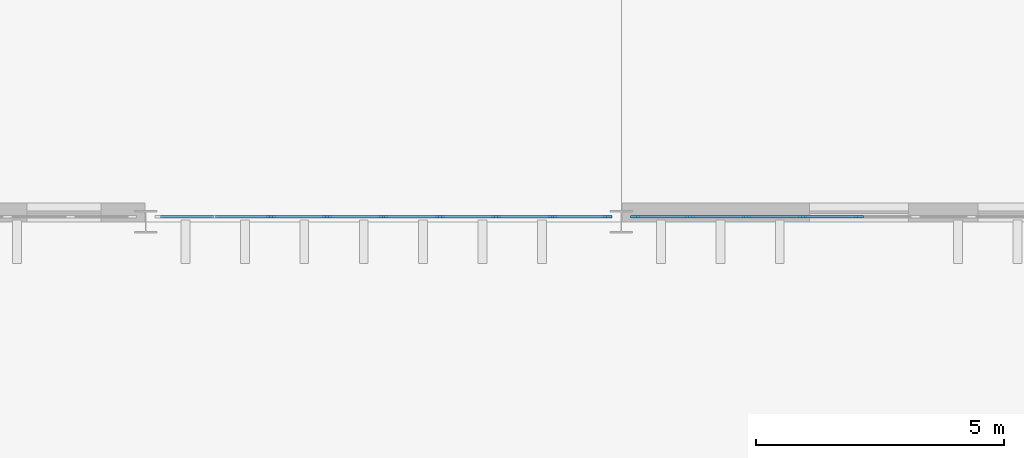
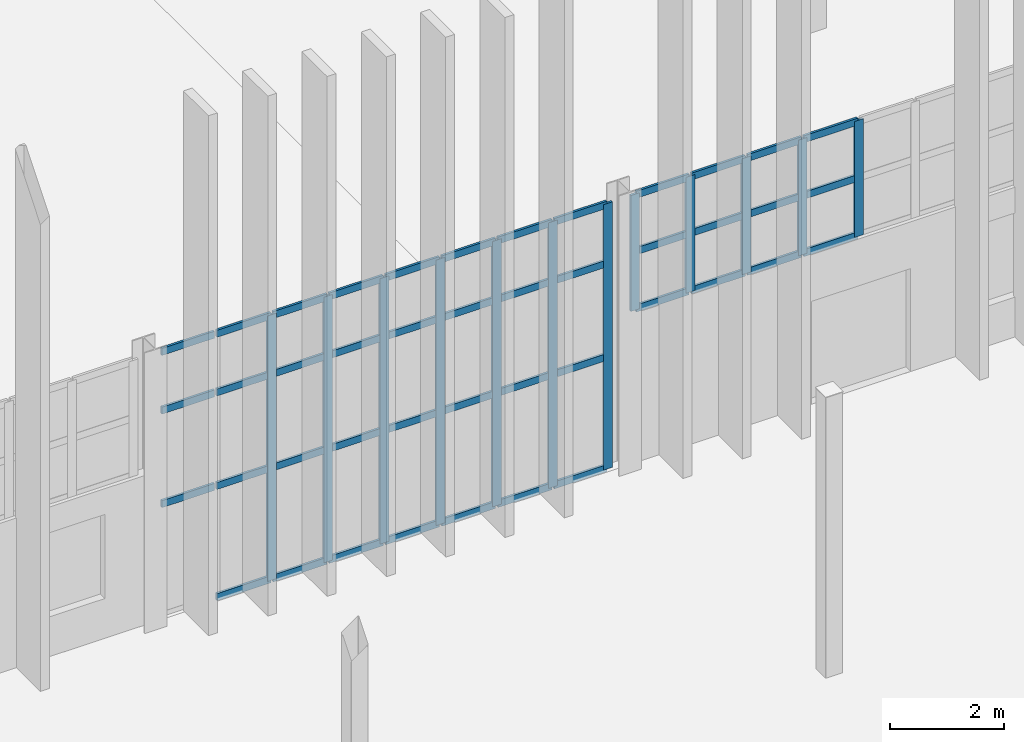
# One storey, part 31 of 139: 55 members, 2 elements without a shape of their own.
"""IFC4 building model written with IfcOpenShell, lengths in metres."""

from ifc_helpers import new_model, si_unit, direction, frame, origin, origin_2d, place, context, subcontext, project, spatial, rectangle, extrude, material, layer, layer_set, material_profile, profile_set, type_object, element, aggregate, save


model = new_model("IFC4")

# Units and contexts
model_context = context("Model", 3, precision=1e-05, world=origin(), true_north=direction((0.0, 1.0)))
body_context = subcontext(model_context, "Body", "Model", "MODEL_VIEW")
ifc_project = project(units=[si_unit("LENGTHUNIT", "METRE"), si_unit("AREAUNIT", "SQUARE_METRE"), si_unit("VOLUMEUNIT", "CUBIC_METRE"), si_unit("PLANEANGLEUNIT", "RADIAN"), si_unit("MASSUNIT", "GRAM", prefix="KILO")], contexts=[model_context])

# Site, building, storey
site_placement = place(None, origin())
site = spatial("IfcSite", under=ifc_project, at=site_placement, CompositionType="ELEMENT")
building_placement = place(site_placement, origin())
building = spatial("IfcBuilding", under=site, at=building_placement, Name="Yeouljin Market Hall", CompositionType="ELEMENT")
storey_placement = place(building_placement, origin())
storey = spatial("IfcBuildingStorey", under=building, at=storey_placement, Name="L00", CompositionType="ELEMENT", Elevation=0.0)

# Curtain wall, members
ifc_material_1 = material(Name="Thermally Broken Aluminium", Category="aluminium")
ifc_layer = layer(ifc_material_1, 0.179931640625)
ifc_layer_set = layer_set([ifc_layer], Name="Thermally Broken Aluminium")
curtain_wall_type = type_object("IfcCurtainWallType", Name="CW_HallNave_System", PredefinedType="USERDEFINED", material=ifc_layer_set)
curtain_wall_1_placement = place(storey_placement, origin())
curtain_wall_1 = element("IfcCurtainWall", 1, at=curtain_wall_1_placement, inside=storey, type_object=curtain_wall_type, Name="Curtain wall CW-V1S-L00-02", ObjectType="CURTAIN WALL", PredefinedType="USERDEFINED")
ifc_material_2 = material(Name="Thermally Broken Aluminium", Category="aluminium")
ifc_material_profile_1 = material_profile(ifc_material_2, rectangle(XDim=0.048095703125, YDim=0.179931640625, at=origin_2d()), Name="CW-MULL-48x180")
ifc_profile_set_1 = profile_set([ifc_material_profile_1], Name="Thermally Broken Aluminium")
member_type_1 = type_object("IfcMemberType", Name="CWMullion_48x180", PredefinedType="MULLION", material=ifc_profile_set_1)
member_1_placement = place(storey_placement, frame((54.325927734375, 36.10009765625, 0.0), z_axis=(0.0, 0.0, 1.0), x_axis=(0.0, -1.0, 0.0)))
member_1 = element("IfcMember", 2, at=member_1_placement, type_object=member_type_1, Name="CW-01 mullion 1", PredefinedType="MULLION", context=body_context, shape_type="SweptSolid", body=[
    extrude(rectangle(XDim=0.048095703125, YDim=0.179931640625, at=origin_2d()), origin(), (0.0, 0.0, 1.0), 5.679931640625),
])
member_2_placement = place(storey_placement, frame((53.21240234375, 36.10009765625, 0.0), z_axis=(0.0, 0.0, 1.0), x_axis=(0.0, -1.0, 0.0)))
member_2 = element("IfcMember", 3, at=member_2_placement, type_object=member_type_1, Name="CW-01 mullion 2", PredefinedType="MULLION", context=body_context, shape_type="SweptSolid", body=[
    extrude(rectangle(XDim=0.048095703125, YDim=0.179931640625, at=origin_2d()), origin(), (0.0, 0.0, 1.0), 5.679931640625),
])
member_3_placement = place(storey_placement, frame((52.074951171875, 36.10009765625, 0.0), z_axis=(0.0, 0.0, 1.0), x_axis=(0.0, -1.0, 0.0)))
member_3 = element("IfcMember", 4, at=member_3_placement, type_object=member_type_1, Name="CW-01 mullion 3", PredefinedType="MULLION", context=body_context, shape_type="SweptSolid", body=[
    extrude(rectangle(XDim=0.048095703125, YDim=0.179931640625, at=origin_2d()), origin(), (0.0, 0.0, 1.0), 5.679931640625),
])
member_4_placement = place(storey_placement, frame((50.9375, 36.10009765625, 0.0), z_axis=(0.0, 0.0, 1.0), x_axis=(0.0, -1.0, 0.0)))
member_4 = element("IfcMember", 5, at=member_4_placement, type_object=member_type_1, Name="CW-01 mullion 4", PredefinedType="MULLION", context=body_context, shape_type="SweptSolid", body=[
    extrude(rectangle(XDim=0.048095703125, YDim=0.179931640625, at=origin_2d()), origin(), (0.0, 0.0, 1.0), 5.679931640625),
])
member_5_placement = place(storey_placement, frame((49.800048828125, 36.10009765625, 0.0), z_axis=(0.0, 0.0, 1.0), x_axis=(0.0, -1.0, 0.0)))
member_5 = element("IfcMember", 6, at=member_5_placement, type_object=member_type_1, Name="CW-01 mullion 5", PredefinedType="MULLION", context=body_context, shape_type="SweptSolid", body=[
    extrude(rectangle(XDim=0.048095703125, YDim=0.179931640625, at=origin_2d()), origin(), (0.0, 0.0, 1.0), 5.679931640625),
])
member_6_placement = place(storey_placement, frame((48.66259765625, 36.10009765625, 0.0), z_axis=(0.0, 0.0, 1.0), x_axis=(0.0, -1.0, 0.0)))
member_6 = element("IfcMember", 7, at=member_6_placement, type_object=member_type_1, Name="CW-01 mullion 6", PredefinedType="MULLION", context=body_context, shape_type="SweptSolid", body=[
    extrude(rectangle(XDim=0.048095703125, YDim=0.179931640625, at=origin_2d()), origin(), (0.0, 0.0, 1.0), 5.679931640625),
])
member_7_placement = place(storey_placement, frame((47.52490234375, 36.10009765625, 0.0), z_axis=(0.0, 0.0, 1.0), x_axis=(0.0, -1.0, 0.0)))
member_7 = element("IfcMember", 8, at=member_7_placement, type_object=member_type_1, Name="CW-01 mullion 7", PredefinedType="MULLION", context=body_context, shape_type="SweptSolid", body=[
    extrude(rectangle(XDim=0.048095703125, YDim=0.179931640625, at=origin_2d()), origin(), (0.0, 0.0, 1.0), 5.679931640625),
])

curtain_wall_2_placement = place(storey_placement, origin())
curtain_wall_2 = element("IfcCurtainWall", 9, at=curtain_wall_2_placement, inside=storey, type_object=curtain_wall_type, Name="Curtain wall CW-V1S-L00-03", ObjectType="CURTAIN WALL", PredefinedType="USERDEFINED")
member_8_placement = place(storey_placement, frame((59.39990234375, 36.10009765625, 3.199951171875), z_axis=(0.0, 0.0, 1.0), x_axis=(0.0, -1.0, 0.0)))
member_8 = element("IfcMember", 10, at=member_8_placement, type_object=member_type_1, Name="CW-01 mullion 5", PredefinedType="MULLION", context=body_context, shape_type="SweptSolid", body=[
    extrude(rectangle(XDim=0.048095703125, YDim=0.179931640625, at=origin_2d()), origin(), (0.0, 0.0, 1.0), 2.47998046875),
])
member_9_placement = place(storey_placement, frame((58.262451171875, 36.10009765625, 3.199951171875), z_axis=(0.0, 0.0, 1.0), x_axis=(0.0, -1.0, 0.0)))
member_9 = element("IfcMember", 11, at=member_9_placement, type_object=member_type_1, Name="CW-01 mullion 6", PredefinedType="MULLION", context=body_context, shape_type="SweptSolid", body=[
    extrude(rectangle(XDim=0.048095703125, YDim=0.179931640625, at=origin_2d()), origin(), (0.0, 0.0, 1.0), 2.47998046875),
])
member_10_placement = place(storey_placement, frame((57.125, 36.10009765625, 3.199951171875), z_axis=(0.0, 0.0, 1.0), x_axis=(0.0, -1.0, 0.0)))
member_10 = element("IfcMember", 12, at=member_10_placement, type_object=member_type_1, Name="CW-01 mullion 7", PredefinedType="MULLION", context=body_context, shape_type="SweptSolid", body=[
    extrude(rectangle(XDim=0.048095703125, YDim=0.179931640625, at=origin_2d()), origin(), (0.0, 0.0, 1.0), 2.47998046875),
])
member_11_placement = place(storey_placement, frame((55.987548828125, 36.10009765625, 3.199951171875), z_axis=(0.0, 0.0, 1.0), x_axis=(0.0, -1.0, 0.0)))
member_11 = element("IfcMember", 13, at=member_11_placement, type_object=member_type_1, Name="CW-01 mullion 8", PredefinedType="MULLION", context=body_context, shape_type="SweptSolid", body=[
    extrude(rectangle(XDim=0.048095703125, YDim=0.179931640625, at=origin_2d()), origin(), (0.0, 0.0, 1.0), 2.47998046875),
])
member_12_placement = place(storey_placement, frame((54.8740234375, 36.10009765625, 3.199951171875), z_axis=(0.0, 0.0, 1.0), x_axis=(0.0, -1.0, 0.0)))
member_12 = element("IfcMember", 14, at=member_12_placement, type_object=member_type_1, Name="CW-01 mullion 9", PredefinedType="MULLION", context=body_context, shape_type="SweptSolid", body=[
    extrude(rectangle(XDim=0.048095703125, YDim=0.179931640625, at=origin_2d()), origin(), (0.0, 0.0, 1.0), 2.47998046875),
])

# Member
ifc_material_3 = material(Name="Thermally Broken Aluminium", Category="aluminium")
ifc_material_profile_2 = material_profile(ifc_material_3, rectangle(XDim=0.048095703125, YDim=0.14990234375, at=origin_2d()), Name="CW-TRAN-48x150")
ifc_profile_set_2 = profile_set([ifc_material_profile_2], Name="Thermally Broken Aluminium")
member_type_2 = type_object("IfcMemberType", Name="CWTransom_48x150", PredefinedType="USERDEFINED", material=ifc_profile_set_2)
member_13_placement = place(storey_placement, frame((54.302001953125, 36.10009765625, 0.02392578125), z_axis=(-1.0, 0.0, 0.0), x_axis=(0.0, -1.0, 0.0)))
member_13 = element("IfcMember", 15, at=member_13_placement, type_object=member_type_2, Name="CW-01 transom 1.1", ObjectType="TRANSOM", PredefinedType="USERDEFINED", context=body_context, shape_type="SweptSolid", body=[
    extrude(rectangle(XDim=0.048095703125, YDim=0.14990234375, at=origin_2d()), origin(), (0.0, 0.0, 1.0), 1.0654296875),
])

member_14_placement = place(storey_placement, frame((54.302001953125, 36.10009765625, 2.39990234375), z_axis=(-1.0, 0.0, 0.0), x_axis=(0.0, -1.0, 0.0)))
member_14 = element("IfcMember", 16, at=member_14_placement, type_object=member_type_2, Name="CW-01 transom 1.2", ObjectType="TRANSOM", PredefinedType="USERDEFINED", context=body_context, shape_type="SweptSolid", body=[
    extrude(rectangle(XDim=0.048095703125, YDim=0.14990234375, at=origin_2d()), origin(), (0.0, 0.0, 1.0), 1.0654296875),
])

member_15_placement = place(storey_placement, frame((54.302001953125, 36.10009765625, 4.39990234375), z_axis=(-1.0, 0.0, 0.0), x_axis=(0.0, -1.0, 0.0)))
member_15 = element("IfcMember", 17, at=member_15_placement, type_object=member_type_2, Name="CW-01 transom 1.3", ObjectType="TRANSOM", PredefinedType="USERDEFINED", context=body_context, shape_type="SweptSolid", body=[
    extrude(rectangle(XDim=0.048095703125, YDim=0.14990234375, at=origin_2d()), origin(), (0.0, 0.0, 1.0), 1.0654296875),
])

member_16_placement = place(storey_placement, frame((54.302001953125, 36.10009765625, 5.656005859375), z_axis=(-1.0, 0.0, 0.0), x_axis=(0.0, -1.0, 0.0)))
member_16 = element("IfcMember", 18, at=member_16_placement, type_object=member_type_2, Name="CW-01 transom 1.4", ObjectType="TRANSOM", PredefinedType="USERDEFINED", context=body_context, shape_type="SweptSolid", body=[
    extrude(rectangle(XDim=0.048095703125, YDim=0.14990234375, at=origin_2d()), origin(), (0.0, 0.0, 1.0), 1.0654296875),
])

member_17_placement = place(storey_placement, frame((53.1884765625, 36.10009765625, 0.02392578125), z_axis=(-1.0, 0.0, 0.0), x_axis=(0.0, -1.0, 0.0)))
member_17 = element("IfcMember", 19, at=member_17_placement, type_object=member_type_2, Name="CW-01 transom 2.1", ObjectType="TRANSOM", PredefinedType="USERDEFINED", context=body_context, shape_type="SweptSolid", body=[
    extrude(rectangle(XDim=0.048095703125, YDim=0.14990234375, at=origin_2d()), origin(), (0.0, 0.0, 1.0), 1.08935546875),
])

member_18_placement = place(storey_placement, frame((53.1884765625, 36.10009765625, 2.39990234375), z_axis=(-1.0, 0.0, 0.0), x_axis=(0.0, -1.0, 0.0)))
member_18 = element("IfcMember", 20, at=member_18_placement, type_object=member_type_2, Name="CW-01 transom 2.2", ObjectType="TRANSOM", PredefinedType="USERDEFINED", context=body_context, shape_type="SweptSolid", body=[
    extrude(rectangle(XDim=0.048095703125, YDim=0.14990234375, at=origin_2d()), origin(), (0.0, 0.0, 1.0), 1.08935546875),
])

member_19_placement = place(storey_placement, frame((53.1884765625, 36.10009765625, 4.39990234375), z_axis=(-1.0, 0.0, 0.0), x_axis=(0.0, -1.0, 0.0)))
member_19 = element("IfcMember", 21, at=member_19_placement, type_object=member_type_2, Name="CW-01 transom 2.3", ObjectType="TRANSOM", PredefinedType="USERDEFINED", context=body_context, shape_type="SweptSolid", body=[
    extrude(rectangle(XDim=0.048095703125, YDim=0.14990234375, at=origin_2d()), origin(), (0.0, 0.0, 1.0), 1.08935546875),
])

member_20_placement = place(storey_placement, frame((53.1884765625, 36.10009765625, 5.656005859375), z_axis=(-1.0, 0.0, 0.0), x_axis=(0.0, -1.0, 0.0)))
member_20 = element("IfcMember", 22, at=member_20_placement, type_object=member_type_2, Name="CW-01 transom 2.4", ObjectType="TRANSOM", PredefinedType="USERDEFINED", context=body_context, shape_type="SweptSolid", body=[
    extrude(rectangle(XDim=0.048095703125, YDim=0.14990234375, at=origin_2d()), origin(), (0.0, 0.0, 1.0), 1.08935546875),
])

member_21_placement = place(storey_placement, frame((52.051025390625, 36.10009765625, 0.02392578125), z_axis=(-1.0, 0.0, 0.0), x_axis=(0.0, -1.0, 0.0)))
member_21 = element("IfcMember", 23, at=member_21_placement, type_object=member_type_2, Name="CW-01 transom 3.1", ObjectType="TRANSOM", PredefinedType="USERDEFINED", context=body_context, shape_type="SweptSolid", body=[
    extrude(rectangle(XDim=0.048095703125, YDim=0.14990234375, at=origin_2d()), origin(), (0.0, 0.0, 1.0), 1.089599609375),
])

member_22_placement = place(storey_placement, frame((52.051025390625, 36.10009765625, 2.39990234375), z_axis=(-1.0, 0.0, 0.0), x_axis=(0.0, -1.0, 0.0)))
member_22 = element("IfcMember", 24, at=member_22_placement, type_object=member_type_2, Name="CW-01 transom 3.2", ObjectType="TRANSOM", PredefinedType="USERDEFINED", context=body_context, shape_type="SweptSolid", body=[
    extrude(rectangle(XDim=0.048095703125, YDim=0.14990234375, at=origin_2d()), origin(), (0.0, 0.0, 1.0), 1.089599609375),
])

member_23_placement = place(storey_placement, frame((52.051025390625, 36.10009765625, 4.39990234375), z_axis=(-1.0, 0.0, 0.0), x_axis=(0.0, -1.0, 0.0)))
member_23 = element("IfcMember", 25, at=member_23_placement, type_object=member_type_2, Name="CW-01 transom 3.3", ObjectType="TRANSOM", PredefinedType="USERDEFINED", context=body_context, shape_type="SweptSolid", body=[
    extrude(rectangle(XDim=0.048095703125, YDim=0.14990234375, at=origin_2d()), origin(), (0.0, 0.0, 1.0), 1.089599609375),
])

member_24_placement = place(storey_placement, frame((52.051025390625, 36.10009765625, 5.656005859375), z_axis=(-1.0, 0.0, 0.0), x_axis=(0.0, -1.0, 0.0)))
member_24 = element("IfcMember", 26, at=member_24_placement, type_object=member_type_2, Name="CW-01 transom 3.4", ObjectType="TRANSOM", PredefinedType="USERDEFINED", context=body_context, shape_type="SweptSolid", body=[
    extrude(rectangle(XDim=0.048095703125, YDim=0.14990234375, at=origin_2d()), origin(), (0.0, 0.0, 1.0), 1.089599609375),
])

member_25_placement = place(storey_placement, frame((50.91357421875, 36.10009765625, 0.02392578125), z_axis=(-1.0, 0.0, 0.0), x_axis=(0.0, -1.0, 0.0)))
member_25 = element("IfcMember", 27, at=member_25_placement, type_object=member_type_2, Name="CW-01 transom 4.1", ObjectType="TRANSOM", PredefinedType="USERDEFINED", context=body_context, shape_type="SweptSolid", body=[
    extrude(rectangle(XDim=0.048095703125, YDim=0.14990234375, at=origin_2d()), origin(), (0.0, 0.0, 1.0), 1.089599609375),
])

member_26_placement = place(storey_placement, frame((50.91357421875, 36.10009765625, 2.39990234375), z_axis=(-1.0, 0.0, 0.0), x_axis=(0.0, -1.0, 0.0)))
member_26 = element("IfcMember", 28, at=member_26_placement, type_object=member_type_2, Name="CW-01 transom 4.2", ObjectType="TRANSOM", PredefinedType="USERDEFINED", context=body_context, shape_type="SweptSolid", body=[
    extrude(rectangle(XDim=0.048095703125, YDim=0.14990234375, at=origin_2d()), origin(), (0.0, 0.0, 1.0), 1.089599609375),
])

member_27_placement = place(storey_placement, frame((50.91357421875, 36.10009765625, 4.39990234375), z_axis=(-1.0, 0.0, 0.0), x_axis=(0.0, -1.0, 0.0)))
member_27 = element("IfcMember", 29, at=member_27_placement, type_object=member_type_2, Name="CW-01 transom 4.3", ObjectType="TRANSOM", PredefinedType="USERDEFINED", context=body_context, shape_type="SweptSolid", body=[
    extrude(rectangle(XDim=0.048095703125, YDim=0.14990234375, at=origin_2d()), origin(), (0.0, 0.0, 1.0), 1.089599609375),
])

member_28_placement = place(storey_placement, frame((50.91357421875, 36.10009765625, 5.656005859375), z_axis=(-1.0, 0.0, 0.0), x_axis=(0.0, -1.0, 0.0)))
member_28 = element("IfcMember", 30, at=member_28_placement, type_object=member_type_2, Name="CW-01 transom 4.4", ObjectType="TRANSOM", PredefinedType="USERDEFINED", context=body_context, shape_type="SweptSolid", body=[
    extrude(rectangle(XDim=0.048095703125, YDim=0.14990234375, at=origin_2d()), origin(), (0.0, 0.0, 1.0), 1.089599609375),
])

member_29_placement = place(storey_placement, frame((49.77587890625, 36.10009765625, 0.02392578125), z_axis=(-1.0, 0.0, 0.0), x_axis=(0.0, -1.0, 0.0)))
member_29 = element("IfcMember", 31, at=member_29_placement, type_object=member_type_2, Name="CW-01 transom 5.1", ObjectType="TRANSOM", PredefinedType="USERDEFINED", context=body_context, shape_type="SweptSolid", body=[
    extrude(rectangle(XDim=0.048095703125, YDim=0.14990234375, at=origin_2d()), origin(), (0.0, 0.0, 1.0), 1.08935546875),
])

member_30_placement = place(storey_placement, frame((49.77587890625, 36.10009765625, 2.39990234375), z_axis=(-1.0, 0.0, 0.0), x_axis=(0.0, -1.0, 0.0)))
member_30 = element("IfcMember", 32, at=member_30_placement, type_object=member_type_2, Name="CW-01 transom 5.2", ObjectType="TRANSOM", PredefinedType="USERDEFINED", context=body_context, shape_type="SweptSolid", body=[
    extrude(rectangle(XDim=0.048095703125, YDim=0.14990234375, at=origin_2d()), origin(), (0.0, 0.0, 1.0), 1.08935546875),
])

member_31_placement = place(storey_placement, frame((49.77587890625, 36.10009765625, 4.39990234375), z_axis=(-1.0, 0.0, 0.0), x_axis=(0.0, -1.0, 0.0)))
member_31 = element("IfcMember", 33, at=member_31_placement, type_object=member_type_2, Name="CW-01 transom 5.3", ObjectType="TRANSOM", PredefinedType="USERDEFINED", context=body_context, shape_type="SweptSolid", body=[
    extrude(rectangle(XDim=0.048095703125, YDim=0.14990234375, at=origin_2d()), origin(), (0.0, 0.0, 1.0), 1.08935546875),
])

member_32_placement = place(storey_placement, frame((49.77587890625, 36.10009765625, 5.656005859375), z_axis=(-1.0, 0.0, 0.0), x_axis=(0.0, -1.0, 0.0)))
member_32 = element("IfcMember", 34, at=member_32_placement, type_object=member_type_2, Name="CW-01 transom 5.4", ObjectType="TRANSOM", PredefinedType="USERDEFINED", context=body_context, shape_type="SweptSolid", body=[
    extrude(rectangle(XDim=0.048095703125, YDim=0.14990234375, at=origin_2d()), origin(), (0.0, 0.0, 1.0), 1.08935546875),
])

member_33_placement = place(storey_placement, frame((48.638427734375, 36.10009765625, 0.02392578125), z_axis=(-1.0, 0.0, 0.0), x_axis=(0.0, -1.0, 0.0)))
member_33 = element("IfcMember", 35, at=member_33_placement, type_object=member_type_2, Name="CW-01 transom 6.1", ObjectType="TRANSOM", PredefinedType="USERDEFINED", context=body_context, shape_type="SweptSolid", body=[
    extrude(rectangle(XDim=0.048095703125, YDim=0.14990234375, at=origin_2d()), origin(), (0.0, 0.0, 1.0), 1.08935546875),
])

member_34_placement = place(storey_placement, frame((48.638427734375, 36.10009765625, 2.39990234375), z_axis=(-1.0, 0.0, 0.0), x_axis=(0.0, -1.0, 0.0)))
member_34 = element("IfcMember", 36, at=member_34_placement, type_object=member_type_2, Name="CW-01 transom 6.2", ObjectType="TRANSOM", PredefinedType="USERDEFINED", context=body_context, shape_type="SweptSolid", body=[
    extrude(rectangle(XDim=0.048095703125, YDim=0.14990234375, at=origin_2d()), origin(), (0.0, 0.0, 1.0), 1.08935546875),
])

member_35_placement = place(storey_placement, frame((48.638427734375, 36.10009765625, 4.39990234375), z_axis=(-1.0, 0.0, 0.0), x_axis=(0.0, -1.0, 0.0)))
member_35 = element("IfcMember", 37, at=member_35_placement, type_object=member_type_2, Name="CW-01 transom 6.3", ObjectType="TRANSOM", PredefinedType="USERDEFINED", context=body_context, shape_type="SweptSolid", body=[
    extrude(rectangle(XDim=0.048095703125, YDim=0.14990234375, at=origin_2d()), origin(), (0.0, 0.0, 1.0), 1.08935546875),
])

member_36_placement = place(storey_placement, frame((48.638427734375, 36.10009765625, 5.656005859375), z_axis=(-1.0, 0.0, 0.0), x_axis=(0.0, -1.0, 0.0)))
member_36 = element("IfcMember", 38, at=member_36_placement, type_object=member_type_2, Name="CW-01 transom 6.4", ObjectType="TRANSOM", PredefinedType="USERDEFINED", context=body_context, shape_type="SweptSolid", body=[
    extrude(rectangle(XDim=0.048095703125, YDim=0.14990234375, at=origin_2d()), origin(), (0.0, 0.0, 1.0), 1.08935546875),
])

member_37_placement = place(storey_placement, frame((47.5009765625, 36.10009765625, 0.02392578125), z_axis=(-1.0, 0.0, 0.0), x_axis=(0.0, -1.0, 0.0)))
member_37 = element("IfcMember", 39, at=member_37_placement, type_object=member_type_2, Name="CW-01 transom 7.1", ObjectType="TRANSOM", PredefinedType="USERDEFINED", context=body_context, shape_type="SweptSolid", body=[
    extrude(rectangle(XDim=0.048095703125, YDim=0.14990234375, at=origin_2d()), origin(), (0.0, 0.0, 1.0), 1.08935546875),
])

member_38_placement = place(storey_placement, frame((47.5009765625, 36.10009765625, 2.39990234375), z_axis=(-1.0, 0.0, 0.0), x_axis=(0.0, -1.0, 0.0)))
member_38 = element("IfcMember", 40, at=member_38_placement, type_object=member_type_2, Name="CW-01 transom 7.2", ObjectType="TRANSOM", PredefinedType="USERDEFINED", context=body_context, shape_type="SweptSolid", body=[
    extrude(rectangle(XDim=0.048095703125, YDim=0.14990234375, at=origin_2d()), origin(), (0.0, 0.0, 1.0), 1.08935546875),
])

member_39_placement = place(storey_placement, frame((47.5009765625, 36.10009765625, 4.39990234375), z_axis=(-1.0, 0.0, 0.0), x_axis=(0.0, -1.0, 0.0)))
member_39 = element("IfcMember", 41, at=member_39_placement, type_object=member_type_2, Name="CW-01 transom 7.3", ObjectType="TRANSOM", PredefinedType="USERDEFINED", context=body_context, shape_type="SweptSolid", body=[
    extrude(rectangle(XDim=0.048095703125, YDim=0.14990234375, at=origin_2d()), origin(), (0.0, 0.0, 1.0), 1.08935546875),
])

member_40_placement = place(storey_placement, frame((47.5009765625, 36.10009765625, 5.656005859375), z_axis=(-1.0, 0.0, 0.0), x_axis=(0.0, -1.0, 0.0)))
member_40 = element("IfcMember", 42, at=member_40_placement, type_object=member_type_2, Name="CW-01 transom 7.4", ObjectType="TRANSOM", PredefinedType="USERDEFINED", context=body_context, shape_type="SweptSolid", body=[
    extrude(rectangle(XDim=0.048095703125, YDim=0.14990234375, at=origin_2d()), origin(), (0.0, 0.0, 1.0), 1.08935546875),
])

member_41_placement = place(storey_placement, frame((46.363525390625, 36.10009765625, 2.39990234375), z_axis=(-1.0, 0.0, 0.0), x_axis=(0.0, -1.0, 0.0)))
member_41 = element("IfcMember", 43, at=member_41_placement, type_object=member_type_2, Name="CW-01 transom 8.2", ObjectType="TRANSOM", PredefinedType="USERDEFINED", context=body_context, shape_type="SweptSolid", body=[
    extrude(rectangle(XDim=0.048095703125, YDim=0.14990234375, at=origin_2d()), origin(), (0.0, 0.0, 1.0), 1.0654296875),
])

member_42_placement = place(storey_placement, frame((46.363525390625, 36.10009765625, 4.39990234375), z_axis=(-1.0, 0.0, 0.0), x_axis=(0.0, -1.0, 0.0)))
member_42 = element("IfcMember", 44, at=member_42_placement, type_object=member_type_2, Name="CW-01 transom 8.3", ObjectType="TRANSOM", PredefinedType="USERDEFINED", context=body_context, shape_type="SweptSolid", body=[
    extrude(rectangle(XDim=0.048095703125, YDim=0.14990234375, at=origin_2d()), origin(), (0.0, 0.0, 1.0), 1.0654296875),
])

member_43_placement = place(storey_placement, frame((46.363525390625, 36.10009765625, 5.656005859375), z_axis=(-1.0, 0.0, 0.0), x_axis=(0.0, -1.0, 0.0)))
member_43 = element("IfcMember", 45, at=member_43_placement, type_object=member_type_2, Name="CW-01 transom 8.4", ObjectType="TRANSOM", PredefinedType="USERDEFINED", context=body_context, shape_type="SweptSolid", body=[
    extrude(rectangle(XDim=0.048095703125, YDim=0.14990234375, at=origin_2d()), origin(), (0.0, 0.0, 1.0), 1.0654296875),
])

aggregate(curtain_wall_1, [member_1, member_2, member_3, member_4, member_5, member_6, member_7, member_13, member_14, member_15, member_16, member_17, member_18, member_19, member_20, member_21, member_22, member_23, member_24, member_25, member_26, member_27, member_28, member_29, member_30, member_31, member_32, member_33, member_34, member_35, member_36, member_37, member_38, member_39, member_40, member_41, member_42, member_43])

member_44_placement = place(storey_placement, frame((59.3759765625, 36.10009765625, 3.22412109375), z_axis=(-1.0, 0.0, 0.0), x_axis=(0.0, -1.0, 0.0)))
member_44 = element("IfcMember", 46, at=member_44_placement, type_object=member_type_2, Name="CW-01 transom 5.1", ObjectType="TRANSOM", PredefinedType="USERDEFINED", context=body_context, shape_type="SweptSolid", body=[
    extrude(rectangle(XDim=0.048095703125, YDim=0.14990234375, at=origin_2d()), origin(), (0.0, 0.0, 1.0), 1.08935546875),
])

member_45_placement = place(storey_placement, frame((59.3759765625, 36.10009765625, 4.449951171875), z_axis=(-1.0, 0.0, 0.0), x_axis=(0.0, -1.0, 0.0)))
member_45 = element("IfcMember", 47, at=member_45_placement, type_object=member_type_2, Name="CW-01 transom 5.2", ObjectType="TRANSOM", PredefinedType="USERDEFINED", context=body_context, shape_type="SweptSolid", body=[
    extrude(rectangle(XDim=0.048095703125, YDim=0.14990234375, at=origin_2d()), origin(), (0.0, 0.0, 1.0), 1.08935546875),
])

member_46_placement = place(storey_placement, frame((59.3759765625, 36.10009765625, 5.656005859375), z_axis=(-1.0, 0.0, 0.0), x_axis=(0.0, -1.0, 0.0)))
member_46 = element("IfcMember", 48, at=member_46_placement, type_object=member_type_2, Name="CW-01 transom 5.3", ObjectType="TRANSOM", PredefinedType="USERDEFINED", context=body_context, shape_type="SweptSolid", body=[
    extrude(rectangle(XDim=0.048095703125, YDim=0.14990234375, at=origin_2d()), origin(), (0.0, 0.0, 1.0), 1.08935546875),
])

member_47_placement = place(storey_placement, frame((58.238525390625, 36.10009765625, 3.22412109375), z_axis=(-1.0, 0.0, 0.0), x_axis=(0.0, -1.0, 0.0)))
member_47 = element("IfcMember", 49, at=member_47_placement, type_object=member_type_2, Name="CW-01 transom 6.1", ObjectType="TRANSOM", PredefinedType="USERDEFINED", context=body_context, shape_type="SweptSolid", body=[
    extrude(rectangle(XDim=0.048095703125, YDim=0.14990234375, at=origin_2d()), origin(), (0.0, 0.0, 1.0), 1.089599609375),
])

member_48_placement = place(storey_placement, frame((58.238525390625, 36.10009765625, 4.449951171875), z_axis=(-1.0, 0.0, 0.0), x_axis=(0.0, -1.0, 0.0)))
member_48 = element("IfcMember", 50, at=member_48_placement, type_object=member_type_2, Name="CW-01 transom 6.2", ObjectType="TRANSOM", PredefinedType="USERDEFINED", context=body_context, shape_type="SweptSolid", body=[
    extrude(rectangle(XDim=0.048095703125, YDim=0.14990234375, at=origin_2d()), origin(), (0.0, 0.0, 1.0), 1.089599609375),
])

member_49_placement = place(storey_placement, frame((58.238525390625, 36.10009765625, 5.656005859375), z_axis=(-1.0, 0.0, 0.0), x_axis=(0.0, -1.0, 0.0)))
member_49 = element("IfcMember", 51, at=member_49_placement, type_object=member_type_2, Name="CW-01 transom 6.3", ObjectType="TRANSOM", PredefinedType="USERDEFINED", context=body_context, shape_type="SweptSolid", body=[
    extrude(rectangle(XDim=0.048095703125, YDim=0.14990234375, at=origin_2d()), origin(), (0.0, 0.0, 1.0), 1.089599609375),
])

member_50_placement = place(storey_placement, frame((57.10107421875, 36.10009765625, 3.22412109375), z_axis=(-1.0, 0.0, 0.0), x_axis=(0.0, -1.0, 0.0)))
member_50 = element("IfcMember", 52, at=member_50_placement, type_object=member_type_2, Name="CW-01 transom 7.1", ObjectType="TRANSOM", PredefinedType="USERDEFINED", context=body_context, shape_type="SweptSolid", body=[
    extrude(rectangle(XDim=0.048095703125, YDim=0.14990234375, at=origin_2d()), origin(), (0.0, 0.0, 1.0), 1.089599609375),
])

member_51_placement = place(storey_placement, frame((57.10107421875, 36.10009765625, 4.449951171875), z_axis=(-1.0, 0.0, 0.0), x_axis=(0.0, -1.0, 0.0)))
member_51 = element("IfcMember", 53, at=member_51_placement, type_object=member_type_2, Name="CW-01 transom 7.2", ObjectType="TRANSOM", PredefinedType="USERDEFINED", context=body_context, shape_type="SweptSolid", body=[
    extrude(rectangle(XDim=0.048095703125, YDim=0.14990234375, at=origin_2d()), origin(), (0.0, 0.0, 1.0), 1.089599609375),
])

member_52_placement = place(storey_placement, frame((57.10107421875, 36.10009765625, 5.656005859375), z_axis=(-1.0, 0.0, 0.0), x_axis=(0.0, -1.0, 0.0)))
member_52 = element("IfcMember", 54, at=member_52_placement, type_object=member_type_2, Name="CW-01 transom 7.3", ObjectType="TRANSOM", PredefinedType="USERDEFINED", context=body_context, shape_type="SweptSolid", body=[
    extrude(rectangle(XDim=0.048095703125, YDim=0.14990234375, at=origin_2d()), origin(), (0.0, 0.0, 1.0), 1.089599609375),
])

member_53_placement = place(storey_placement, frame((55.96337890625, 36.10009765625, 3.22412109375), z_axis=(-1.0, 0.0, 0.0), x_axis=(0.0, -1.0, 0.0)))
member_53 = element("IfcMember", 55, at=member_53_placement, type_object=member_type_2, Name="CW-01 transom 8.1", ObjectType="TRANSOM", PredefinedType="USERDEFINED", context=body_context, shape_type="SweptSolid", body=[
    extrude(rectangle(XDim=0.048095703125, YDim=0.14990234375, at=origin_2d()), origin(), (0.0, 0.0, 1.0), 1.0654296875),
])

member_54_placement = place(storey_placement, frame((55.96337890625, 36.10009765625, 4.449951171875), z_axis=(-1.0, 0.0, 0.0), x_axis=(0.0, -1.0, 0.0)))
member_54 = element("IfcMember", 56, at=member_54_placement, type_object=member_type_2, Name="CW-01 transom 8.2", ObjectType="TRANSOM", PredefinedType="USERDEFINED", context=body_context, shape_type="SweptSolid", body=[
    extrude(rectangle(XDim=0.048095703125, YDim=0.14990234375, at=origin_2d()), origin(), (0.0, 0.0, 1.0), 1.0654296875),
])

member_55_placement = place(storey_placement, frame((55.96337890625, 36.10009765625, 5.656005859375), z_axis=(-1.0, 0.0, 0.0), x_axis=(0.0, -1.0, 0.0)))
member_55 = element("IfcMember", 57, at=member_55_placement, type_object=member_type_2, Name="CW-01 transom 8.3", ObjectType="TRANSOM", PredefinedType="USERDEFINED", context=body_context, shape_type="SweptSolid", body=[
    extrude(rectangle(XDim=0.048095703125, YDim=0.14990234375, at=origin_2d()), origin(), (0.0, 0.0, 1.0), 1.0654296875),
])

aggregate(curtain_wall_2, [member_8, member_9, member_10, member_11, member_12, member_44, member_45, member_46, member_47, member_48, member_49, member_50, member_51, member_52, member_53, member_54, member_55])

save(model, "model.ifc")
